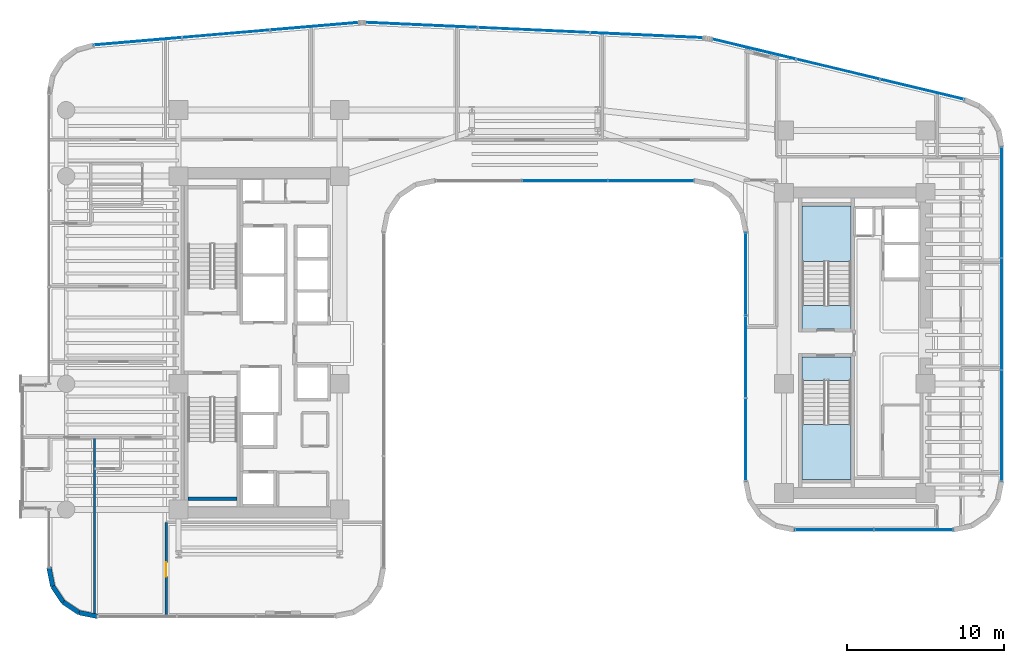
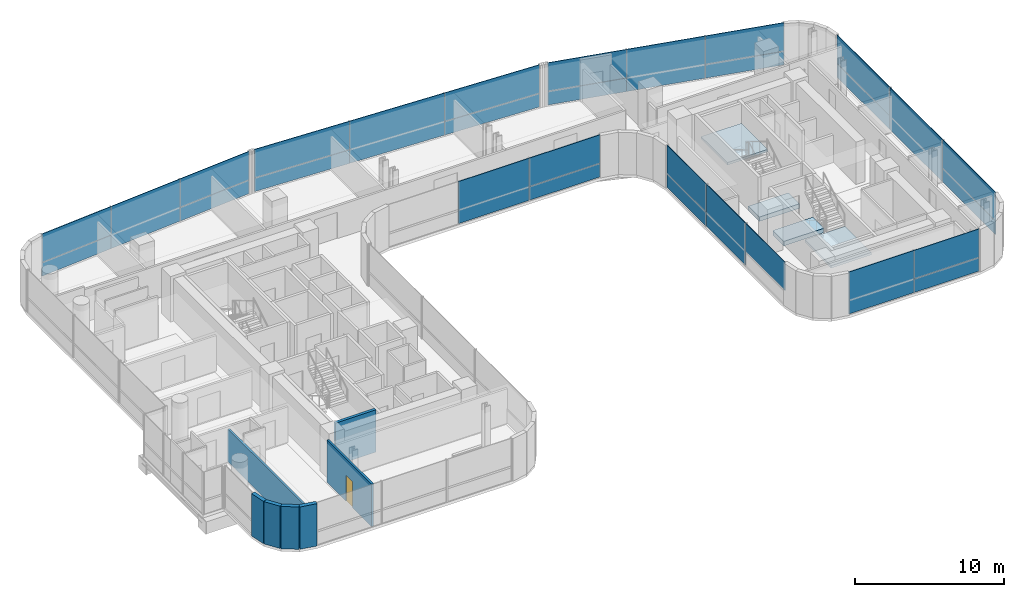
# One storey, part 27 of 37: 30 plates, 7 walls, 4 slabs, 1 door, 1 opening, 9 elements without a shape of their own.
"""IFC4 building model written with IfcOpenShell, lengths in metres."""

from ifc_helpers import new_model, si_unit, direction, frame, frame_2d, origin, origin_2d, place, context, subcontext, project, spatial, polyline, rectangle, outline, extrude, source, transform, mapped, material, layer, layer_set, type_object, element, fill, aggregate, save


model = new_model("IFC4")

# Units and contexts
model_context = context("Model", 3, precision=1e-05, world=origin(), true_north=direction((0.0, 1.0)))
body_context = subcontext(model_context, "Body", "Model", "MODEL_VIEW")
ifc_project = project(units=[si_unit("LENGTHUNIT", "METRE"), si_unit("AREAUNIT", "SQUARE_METRE"), si_unit("VOLUMEUNIT", "CUBIC_METRE"), si_unit("PLANEANGLEUNIT", "RADIAN"), si_unit("MASSUNIT", "GRAM", prefix="KILO")], contexts=[model_context])

# Site, building, storey
site_placement = place(None, origin())
site = spatial("IfcSite", under=ifc_project, at=site_placement, CompositionType="ELEMENT")
building_placement = place(site_placement, origin())
building = spatial("IfcBuilding", under=site, at=building_placement, Name="Valdorenza Pilgrim Sanctuary Tower", CompositionType="ELEMENT")
storey_placement = place(building_placement, frame((0.0, 0.0, 135.300048828125)))
storey = spatial("IfcBuildingStorey", under=building, at=storey_placement, Name="L34", CompositionType="ELEMENT", Elevation=135.300048828125)

# Stair, slab
ifc_material_1 = material(Name="Concrete C40/50", Category="concrete")
stair_type = type_object("IfcStairType", Name="STR-DOG-CORE", PredefinedType="HALF_TURN_STAIR", material=ifc_material_1)
stair_1_placement = place(storey_placement, origin())
stair_1 = element("IfcStair", 1, at=stair_1_placement, inside=storey, type_object=stair_type, Name="L34 ST-B1", PredefinedType="HALF_TURN_STAIR")
ifc_layer_1 = layer(ifc_material_1, 0.199951171875, Name="Concrete C40/50")
ifc_layer_set_1 = layer_set([ifc_layer_1], Name="Concrete C40/50")
slab_type_1 = type_object("IfcSlabType", Name="SLAB-STL-200", PredefinedType="LANDING", material=ifc_layer_set_1)
slab_1_placement = place(storey_placement, frame((0.0, 0.0, 1.64990234375)))
slab_1 = element("IfcSlab", 2, at=slab_1_placement, type_object=slab_type_1, Name="ST-B1 landing 1", PredefinedType="LANDING", context=body_context, shape_type="SweptSolid", body=[
    extrude(outline(polyline([(20.110107421875, 5.179931640625), (20.110107421875, 8.699951171875), (17.0, 8.699951171875), (17.0, 5.179931640625), (20.110107421875, 5.179931640625)])), origin(), (0.0, 0.0, 1.0), 0.199951171875),
])
aggregate(stair_1, [slab_1])

stair_2_placement = place(storey_placement, origin())
stair_2 = element("IfcStair", 3, at=stair_2_placement, inside=storey, type_object=stair_type, Name="L34 ST-B2", PredefinedType="HALF_TURN_STAIR")
slab_2_placement = place(storey_placement, frame((0.0, 0.0, 1.64990234375)))
slab_2 = element("IfcSlab", 4, at=slab_2_placement, type_object=slab_type_1, Name="ST-B2 landing 1", PredefinedType="LANDING", context=body_context, shape_type="SweptSolid", body=[
    extrude(outline(polyline([(17.0, -5.179931640625), (17.0, -8.699951171875), (20.110107421875, -8.699951171875), (20.110107421875, -5.179931640625), (17.0, -5.179931640625)])), origin(), (0.0, 0.0, 1.0), 0.199951171875),
])
aggregate(stair_2, [slab_2])

# Slabs
ifc_material_2 = material(Name="Concrete C50/60", Category="concrete")
ifc_layer_2 = layer(ifc_material_2, 0.39990234375, Name="Concrete C50/60")
ifc_layer_set_2 = layer_set([ifc_layer_2], Name="Concrete C50/60")
slab_type_2 = type_object("IfcSlabType", Name="SLAB-TRF-400", PredefinedType="FLOOR", material=ifc_layer_set_2)
slab_3_placement = place(storey_placement, frame((0.0, 0.0, -0.360107421875)))
element("IfcSlab", 5, at=slab_3_placement, inside=storey, type_object=slab_type_2, Name="L34 ST-B1 Structural Stair Landing Bearing Slab", PredefinedType="FLOOR", context=body_context, shape_type="SweptSolid", body=[
    extrude(outline(polyline([(17.0, 0.89990234375), (20.110107421875, 0.89990234375), (20.110107421875, 2.385009765625), (17.0, 2.385009765625), (17.0, 0.89990234375)])), origin(), (0.0, 0.0, 1.0), 0.360107421875),
])
slab_4_placement = place(storey_placement, frame((0.0, 0.0, -0.360107421875)))
element("IfcSlab", 6, at=slab_4_placement, inside=storey, type_object=slab_type_2, Name="L34 ST-B2 Structural Stair Landing Bearing Slab", PredefinedType="FLOOR", context=body_context, shape_type="SweptSolid", body=[
    extrude(outline(polyline([(17.0, -2.385009765625), (20.110107421875, -2.385009765625), (20.110107421875, -0.89990234375), (17.0, -0.89990234375), (17.0, -2.385009765625)])), origin(), (0.0, 0.0, 1.0), 0.360107421875),
])

# Curtain wall, plates
ifc_material_3 = material(Name="Curtain-wall IGU glazing", Category="glass")
curtain_wall_type_1 = type_object("IfcCurtainWallType", Name="CW-SYS-02", PredefinedType="NOTDEFINED", material=ifc_material_3)
curtain_wall_1_placement = place(storey_placement, origin())
curtain_wall_1 = element("IfcCurtainWall", 7, at=curtain_wall_1_placement, inside=storey, type_object=curtain_wall_type_1, Name="L34 Curtain Wall CW-L34-1-36", PredefinedType="NOTDEFINED")
ifc_material_4 = material(Name="Honed travertine limestone", Category="masonry")
ifc_layer_3 = layer(ifc_material_4, 0.050048828125, Name="Honed travertine limestone")
ifc_layer_set_3 = layer_set([ifc_layer_3], Name="Honed travertine limestone")
plate_type_1 = type_object("IfcPlateType", Name="CW-SPN-TRV", PredefinedType="USERDEFINED", material=ifc_layer_set_3)
shared_shape_1 = source(origin(), body_context, "Body", "SweptSolid", [
    extrude(rectangle(XDim=5.453857421875, YDim=0.06005859375, at=origin_2d()), origin(), (0.0, 0.0, 1.0), 1.10009765625),
])
plate_1_placement = place(storey_placement, frame((7.373779296875, 10.31005859375, 0.010009765625), z_axis=(0.0, 0.0, 1.0), x_axis=(-1.0, 0.0, 0.0)))
plate_1 = element("IfcPlate", 8, at=plate_1_placement, type_object=plate_type_1, Name="CW-L34-1-36 Travertine Spandrel 1", ObjectType="SPANDREL", PredefinedType="USERDEFINED", context=body_context, shape_type="MappedRepresentation", body=[
    mapped(shared_shape_1, transform((0.0, 0.0, 0.0), x_axis=(1.0, 0.0, 0.0), y_axis=(0.0, 1.0, 0.0), z_axis=(0.0, 0.0, 1.0), scale=1.0)),
])
ifc_material_5 = material(Name="Ceramic-fritted low-E IGU glazing", Category="glass")
ifc_layer_4 = layer(ifc_material_5, 0.035888671875, Name="Ceramic-fritted low-E IGU glazing")
ifc_layer_set_4 = layer_set([ifc_layer_4], Name="Ceramic-fritted low-E IGU glazing")
plate_type_2 = type_object("IfcPlateType", Name="CW-GLZ-IGU", PredefinedType="USERDEFINED", material=ifc_layer_set_4)
shared_shape_2 = source(origin(), body_context, "Body", "SweptSolid", [
    extrude(rectangle(XDim=5.453857421875, YDim=0.050048828125, at=origin_2d()), origin(), (0.0, 0.0, 1.0), 2.320068359375),
])
plate_2_placement = place(storey_placement, frame((7.373779296875, 10.31005859375, 1.1298828125), z_axis=(0.0, 0.0, 1.0), x_axis=(-1.0, 0.0, 0.0)))
plate_2 = element("IfcPlate", 9, at=plate_2_placement, type_object=plate_type_2, Name="CW-L34-1-36 Facade Panel 1", ObjectType="GLAZING", PredefinedType="USERDEFINED", context=body_context, shape_type="MappedRepresentation", body=[
    mapped(shared_shape_2, transform((0.0, 0.0, 0.0), x_axis=(1.0, 0.0, 0.0), y_axis=(0.0, 1.0, 0.0), z_axis=(0.0, 0.0, 1.0), scale=1.0)),
])
shared_shape_3 = source(origin(), body_context, "Body", "SweptSolid", [
    extrude(rectangle(XDim=5.453857421875, YDim=0.050048828125, at=origin_2d()), origin(), (0.0, 0.0, 1.0), 3.43994140625),
])
plate_3_placement = place(storey_placement, frame((1.89990234375, 10.31005859375, 0.010009765625), z_axis=(0.0, 0.0, 1.0), x_axis=(-1.0, 0.0, 0.0)))
plate_3 = element("IfcPlate", 10, at=plate_3_placement, type_object=plate_type_2, Name="CW-L34-1-36 Full-Height Facade Panel 2", ObjectType="GLAZING", PredefinedType="USERDEFINED", context=body_context, shape_type="MappedRepresentation", body=[
    mapped(shared_shape_3, transform((0.0, 0.0, 0.0), x_axis=(1.0, 0.0, 0.0), y_axis=(0.0, 1.0, 0.0), z_axis=(0.0, 0.0, 1.0), scale=1.0)),
])
aggregate(curtain_wall_1, [plate_1, plate_2, plate_3])

curtain_wall_2_placement = place(storey_placement, origin())
curtain_wall_2 = element("IfcCurtainWall", 11, at=curtain_wall_2_placement, inside=storey, type_object=curtain_wall_type_1, Name="L34 Curtain Wall CW-L34-1-6", PredefinedType="NOTDEFINED")
shared_shape_4 = source(origin(), body_context, "Body", "SweptSolid", [
    extrude(rectangle(XDim=5.61767578125, YDim=0.06005859375, at=origin_2d()), origin(), (0.0, 0.0, 1.0), 1.10009765625),
])
plate_4_placement = place(storey_placement, frame((-25.242919921875, 19.178955078125, 0.010009765625), z_axis=(0.0, 0.0, 1.0), x_axis=(0.99640764237, 0.084686541006, 0.0)))
plate_4 = element("IfcPlate", 12, at=plate_4_placement, type_object=plate_type_1, Name="CW-L34-1-6 Travertine Spandrel 1", ObjectType="SPANDREL", PredefinedType="USERDEFINED", context=body_context, shape_type="MappedRepresentation", body=[
    mapped(shared_shape_4, transform((0.0, 0.0, 0.0), x_axis=(1.0, 0.0, 0.0), y_axis=(0.0, 1.0, 0.0), z_axis=(0.0, 0.0, 1.0), scale=1.0)),
])
plate_5_placement = place(storey_placement, frame((-14.008056640625, 20.1337890625, 0.010009765625), z_axis=(0.0, 0.0, 1.0), x_axis=(0.99640764237, 0.084686541006, 0.0)))
plate_5 = element("IfcPlate", 13, at=plate_5_placement, type_object=plate_type_1, Name="CW-L34-1-6 Travertine Spandrel 3", ObjectType="SPANDREL", PredefinedType="USERDEFINED", context=body_context, shape_type="MappedRepresentation", body=[
    mapped(shared_shape_4, transform((0.0, 0.0, 0.0), x_axis=(1.0, 0.0, 0.0), y_axis=(0.0, 1.0, 0.0), z_axis=(0.0, 0.0, 1.0), scale=1.0)),
])

curtain_wall_3_placement = place(storey_placement, origin())
curtain_wall_3 = element("IfcCurtainWall", 14, at=curtain_wall_3_placement, inside=storey, type_object=curtain_wall_type_1, Name="L34 Curtain Wall CW-L34-1-11", PredefinedType="NOTDEFINED")
shared_shape_5 = source(origin(), body_context, "Body", "SweptSolid", [
    extrude(rectangle(XDim=7.1494140625, YDim=0.06005859375, at=origin_2d()), origin(), (0.0, 0.0, 1.0), 1.10009765625),
])
plate_6_placement = place(storey_placement, frame((-7.21484375, 20.2177734375, 0.010009765625), z_axis=(0.0, 0.0, 1.0), x_axis=(0.998968193221, -0.045415294044, 0.0)))
plate_6 = element("IfcPlate", 15, at=plate_6_placement, type_object=plate_type_1, Name="CW-L34-1-11 Travertine Spandrel 1", ObjectType="SPANDREL", PredefinedType="USERDEFINED", context=body_context, shape_type="MappedRepresentation", body=[
    mapped(shared_shape_5, transform((0.0, 0.0, 0.0), x_axis=(1.0, 0.0, 0.0), y_axis=(0.0, 1.0, 0.0), z_axis=(0.0, 0.0, 1.0), scale=1.0)),
])
plate_7_placement = place(storey_placement, frame((7.10888671875, 19.56689453125, 0.010009765625), z_axis=(0.0, 0.0, 1.0), x_axis=(0.998968193221, -0.045415294044, 0.0)))
plate_7 = element("IfcPlate", 16, at=plate_7_placement, type_object=plate_type_1, Name="CW-L34-1-11 Travertine Spandrel 3", ObjectType="SPANDREL", PredefinedType="USERDEFINED", context=body_context, shape_type="MappedRepresentation", body=[
    mapped(shared_shape_5, transform((0.0, 0.0, 0.0), x_axis=(1.0, 0.0, 0.0), y_axis=(0.0, 1.0, 0.0), z_axis=(0.0, 0.0, 1.0), scale=1.0)),
])

curtain_wall_type_2 = type_object("IfcCurtainWallType", Name="CW-SYS-03", PredefinedType="NOTDEFINED", material=ifc_material_3)
curtain_wall_4_placement = place(storey_placement, origin())
curtain_wall_4 = element("IfcCurtainWall", 17, at=curtain_wall_4_placement, inside=storey, type_object=curtain_wall_type_2, Name="L34 Curtain Wall CW-L34-1-16", PredefinedType="NOTDEFINED")
shared_shape_6 = source(origin(), body_context, "Body", "SweptSolid", [
    extrude(rectangle(XDim=5.477294921875, YDim=0.06005859375, at=origin_2d()), origin(), (0.0, 0.0, 1.0), 1.10009765625),
])
plate_8_placement = place(storey_placement, frame((13.944580078125, 18.68212890625, 0.010009765625), z_axis=(0.0, 0.0, 1.0), x_axis=(0.972528596343, -0.232783438617, 0.0)))
plate_8 = element("IfcPlate", 18, at=plate_8_placement, type_object=plate_type_1, Name="CW-L34-1-16 Travertine Spandrel 1", ObjectType="SPANDREL", PredefinedType="USERDEFINED", context=body_context, shape_type="MappedRepresentation", body=[
    mapped(shared_shape_6, transform((0.0, 0.0, 0.0), x_axis=(1.0, 0.0, 0.0), y_axis=(0.0, 1.0, 0.0), z_axis=(0.0, 0.0, 1.0), scale=1.0)),
])
plate_9_placement = place(storey_placement, frame((24.63720703125, 16.122802734375, 0.010009765625), z_axis=(0.0, 0.0, 1.0), x_axis=(0.972528596343, -0.232783438617, 0.0)))
plate_9 = element("IfcPlate", 19, at=plate_9_placement, type_object=plate_type_1, Name="CW-L34-1-16 Travertine Spandrel 3", ObjectType="SPANDREL", PredefinedType="USERDEFINED", context=body_context, shape_type="MappedRepresentation", body=[
    mapped(shared_shape_6, transform((0.0, 0.0, 0.0), x_axis=(1.0, 0.0, 0.0), y_axis=(0.0, 1.0, 0.0), z_axis=(0.0, 0.0, 1.0), scale=1.0)),
])

curtain_wall_5_placement = place(storey_placement, origin())
curtain_wall_5 = element("IfcCurtainWall", 20, at=curtain_wall_5_placement, inside=storey, type_object=curtain_wall_type_2, Name="L34 Curtain Wall CW-L34-1-21", PredefinedType="NOTDEFINED")
shared_shape_7 = source(origin(), body_context, "Body", "SweptSolid", [
    extrude(rectangle(XDim=7.065185546875, YDim=0.06005859375, at=origin_2d()), origin(), (0.0, 0.0, 1.0), 1.10009765625),
])
plate_10_placement = place(storey_placement, frame((29.68994140625, 8.923828125, 0.010009765625), z_axis=(0.0, 0.0, 1.0), x_axis=(0.0, -1.0, 0.0)))
plate_10 = element("IfcPlate", 21, at=plate_10_placement, type_object=plate_type_1, Name="CW-L34-1-21 Travertine Spandrel 1", ObjectType="SPANDREL", PredefinedType="USERDEFINED", context=body_context, shape_type="MappedRepresentation", body=[
    mapped(shared_shape_7, transform((0.0, 0.0, 0.0), x_axis=(1.0, 0.0, 0.0), y_axis=(0.0, 1.0, 0.0), z_axis=(0.0, 0.0, 1.0), scale=1.0)),
])
plate_11_placement = place(storey_placement, frame((29.68994140625, -5.24658203125, 0.010009765625), z_axis=(0.0, 0.0, 1.0), x_axis=(0.0, -1.0, 0.0)))
plate_11 = element("IfcPlate", 22, at=plate_11_placement, type_object=plate_type_1, Name="CW-L34-1-21 Travertine Spandrel 3", ObjectType="SPANDREL", PredefinedType="USERDEFINED", context=body_context, shape_type="MappedRepresentation", body=[
    mapped(shared_shape_7, transform((0.0, 0.0, 0.0), x_axis=(1.0, 0.0, 0.0), y_axis=(0.0, 1.0, 0.0), z_axis=(0.0, 0.0, 1.0), scale=1.0)),
])

# Curtain wall, plate
curtain_wall_6_placement = place(storey_placement, origin())
curtain_wall_6 = element("IfcCurtainWall", 23, at=curtain_wall_6_placement, inside=storey, type_object=curtain_wall_type_2, Name="L34 Curtain Wall CW-L34-1-26", PredefinedType="NOTDEFINED")
shared_shape_8 = source(origin(), body_context, "Body", "SweptSolid", [
    extrude(rectangle(XDim=5.019287109375, YDim=0.06005859375, at=origin_2d()), origin(), (0.0, 0.0, 1.0), 1.10009765625),
])
plate_12_placement = place(storey_placement, frame((24.069580078125, -11.889892578125, 0.010009765625), z_axis=(0.0, 0.0, 1.0), x_axis=(-1.0, 0.0, 0.0)))
plate_12 = element("IfcPlate", 24, at=plate_12_placement, type_object=plate_type_1, Name="CW-L34-1-26 Travertine Spandrel 1", ObjectType="SPANDREL", PredefinedType="USERDEFINED", context=body_context, shape_type="MappedRepresentation", body=[
    mapped(shared_shape_8, transform((0.0, 0.0, 0.0), x_axis=(1.0, 0.0, 0.0), y_axis=(0.0, 1.0, 0.0), z_axis=(0.0, 0.0, 1.0), scale=1.0)),
])

curtain_wall_7_placement = place(storey_placement, origin())
curtain_wall_7 = element("IfcCurtainWall", 25, at=curtain_wall_7_placement, inside=storey, type_object=curtain_wall_type_2, Name="L34 Curtain Wall CW-L34-1-31", PredefinedType="NOTDEFINED")
shared_shape_9 = source(origin(), body_context, "Body", "SweptSolid", [
    extrude(rectangle(XDim=5.24658203125, YDim=0.06005859375, at=origin_2d()), origin(), (0.0, 0.0, 1.0), 1.10009765625),
])
plate_13_placement = place(storey_placement, frame((13.409912109375, 4.37744140625, 0.010009765625), z_axis=(0.0, 0.0, 1.0), x_axis=(0.0, 1.0, 0.0)))
plate_13 = element("IfcPlate", 26, at=plate_13_placement, type_object=plate_type_1, Name="CW-L34-1-31 Travertine Spandrel 3", ObjectType="SPANDREL", PredefinedType="USERDEFINED", context=body_context, shape_type="MappedRepresentation", body=[
    mapped(shared_shape_9, transform((0.0, 0.0, 0.0), x_axis=(1.0, 0.0, 0.0), y_axis=(0.0, 1.0, 0.0), z_axis=(0.0, 0.0, 1.0), scale=1.0)),
])

# Plate
shared_shape_10 = source(origin(), body_context, "Body", "SweptSolid", [
    extrude(rectangle(XDim=5.61767578125, YDim=0.050048828125, at=origin_2d()), origin(), (0.0, 0.0, 1.0), 3.43994140625),
])
plate_14_placement = place(storey_placement, frame((-19.62548828125, 19.656494140625, 0.010009765625), z_axis=(0.0, 0.0, 1.0), x_axis=(0.99640764237, 0.084686541006, 0.0)))
plate_14 = element("IfcPlate", 27, at=plate_14_placement, type_object=plate_type_2, Name="CW-L34-1-6 Full-Height Facade Panel 2", ObjectType="GLAZING", PredefinedType="USERDEFINED", context=body_context, shape_type="MappedRepresentation", body=[
    mapped(shared_shape_10, transform((0.0, 0.0, 0.0), x_axis=(1.0, 0.0, 0.0), y_axis=(0.0, 1.0, 0.0), z_axis=(0.0, 0.0, 1.0), scale=1.0)),
])

shared_shape_11 = source(origin(), body_context, "Body", "SweptSolid", [
    extrude(rectangle(XDim=5.61767578125, YDim=0.050048828125, at=origin_2d()), origin(), (0.0, 0.0, 1.0), 2.320068359375),
])
plate_15_placement = place(storey_placement, frame((-25.242919921875, 19.178955078125, 1.1298828125), z_axis=(0.0, 0.0, 1.0), x_axis=(0.99640764237, 0.084686541006, 0.0)))
plate_15 = element("IfcPlate", 28, at=plate_15_placement, type_object=plate_type_2, Name="CW-L34-1-6 Facade Panel 1", ObjectType="GLAZING", PredefinedType="USERDEFINED", context=body_context, shape_type="MappedRepresentation", body=[
    mapped(shared_shape_11, transform((0.0, 0.0, 0.0), x_axis=(1.0, 0.0, 0.0), y_axis=(0.0, 1.0, 0.0), z_axis=(0.0, 0.0, 1.0), scale=1.0)),
])

plate_16_placement = place(storey_placement, frame((-14.008056640625, 20.1337890625, 1.1298828125), z_axis=(0.0, 0.0, 1.0), x_axis=(0.99640764237, 0.084686541006, 0.0)))
plate_16 = element("IfcPlate", 29, at=plate_16_placement, type_object=plate_type_2, Name="CW-L34-1-6 Facade Panel 3", ObjectType="GLAZING", PredefinedType="USERDEFINED", context=body_context, shape_type="MappedRepresentation", body=[
    mapped(shared_shape_11, transform((0.0, 0.0, 0.0), x_axis=(1.0, 0.0, 0.0), y_axis=(0.0, 1.0, 0.0), z_axis=(0.0, 0.0, 1.0), scale=1.0)),
])

aggregate(curtain_wall_2, [plate_4, plate_15, plate_14, plate_5, plate_16])

shared_shape_12 = source(origin(), body_context, "Body", "SweptSolid", [
    extrude(rectangle(XDim=7.1494140625, YDim=0.050048828125, at=origin_2d()), origin(), (0.0, 0.0, 1.0), 3.43994140625),
])
plate_17_placement = place(storey_placement, frame((-0.052978515625, 19.892333984375, 0.010009765625), z_axis=(0.0, 0.0, 1.0), x_axis=(0.998968193221, -0.045415294044, 0.0)))
plate_17 = element("IfcPlate", 30, at=plate_17_placement, type_object=plate_type_2, Name="CW-L34-1-11 Full-Height Facade Panel 2", ObjectType="GLAZING", PredefinedType="USERDEFINED", context=body_context, shape_type="MappedRepresentation", body=[
    mapped(shared_shape_12, transform((0.0, 0.0, 0.0), x_axis=(1.0, 0.0, 0.0), y_axis=(0.0, 1.0, 0.0), z_axis=(0.0, 0.0, 1.0), scale=1.0)),
])

shared_shape_13 = source(origin(), body_context, "Body", "SweptSolid", [
    extrude(rectangle(XDim=7.1494140625, YDim=0.050048828125, at=origin_2d()), origin(), (0.0, 0.0, 1.0), 2.320068359375),
])
plate_18_placement = place(storey_placement, frame((-7.21484375, 20.2177734375, 1.1298828125), z_axis=(0.0, 0.0, 1.0), x_axis=(0.998968193221, -0.045415294044, 0.0)))
plate_18 = element("IfcPlate", 31, at=plate_18_placement, type_object=plate_type_2, Name="CW-L34-1-11 Facade Panel 1", ObjectType="GLAZING", PredefinedType="USERDEFINED", context=body_context, shape_type="MappedRepresentation", body=[
    mapped(shared_shape_13, transform((0.0, 0.0, 0.0), x_axis=(1.0, 0.0, 0.0), y_axis=(0.0, 1.0, 0.0), z_axis=(0.0, 0.0, 1.0), scale=1.0)),
])

plate_19_placement = place(storey_placement, frame((7.10888671875, 19.56689453125, 1.1298828125), z_axis=(0.0, 0.0, 1.0), x_axis=(0.998968193221, -0.045415294044, 0.0)))
plate_19 = element("IfcPlate", 32, at=plate_19_placement, type_object=plate_type_2, Name="CW-L34-1-11 Facade Panel 3", ObjectType="GLAZING", PredefinedType="USERDEFINED", context=body_context, shape_type="MappedRepresentation", body=[
    mapped(shared_shape_13, transform((0.0, 0.0, 0.0), x_axis=(1.0, 0.0, 0.0), y_axis=(0.0, 1.0, 0.0), z_axis=(0.0, 0.0, 1.0), scale=1.0)),
])

aggregate(curtain_wall_3, [plate_6, plate_18, plate_17, plate_7, plate_19])

shared_shape_14 = source(origin(), body_context, "Body", "SweptSolid", [
    extrude(rectangle(XDim=5.477294921875, YDim=0.050048828125, at=origin_2d()), origin(), (0.0, 0.0, 1.0), 3.43994140625),
])
plate_20_placement = place(storey_placement, frame((19.291015625, 17.40234375, 0.010009765625), z_axis=(0.0, 0.0, 1.0), x_axis=(0.972528596343, -0.232783438617, 0.0)))
plate_20 = element("IfcPlate", 33, at=plate_20_placement, type_object=plate_type_2, Name="CW-L34-1-16 Full-Height Facade Panel 2", ObjectType="GLAZING", PredefinedType="USERDEFINED", context=body_context, shape_type="MappedRepresentation", body=[
    mapped(shared_shape_14, transform((0.0, 0.0, 0.0), x_axis=(1.0, 0.0, 0.0), y_axis=(0.0, 1.0, 0.0), z_axis=(0.0, 0.0, 1.0), scale=1.0)),
])

shared_shape_15 = source(origin(), body_context, "Body", "SweptSolid", [
    extrude(rectangle(XDim=5.477294921875, YDim=0.050048828125, at=origin_2d()), origin(), (0.0, 0.0, 1.0), 2.320068359375),
])
plate_21_placement = place(storey_placement, frame((13.944580078125, 18.68212890625, 1.1298828125), z_axis=(0.0, 0.0, 1.0), x_axis=(0.972528596343, -0.232783438617, 0.0)))
plate_21 = element("IfcPlate", 34, at=plate_21_placement, type_object=plate_type_2, Name="CW-L34-1-16 Facade Panel 1", ObjectType="GLAZING", PredefinedType="USERDEFINED", context=body_context, shape_type="MappedRepresentation", body=[
    mapped(shared_shape_15, transform((0.0, 0.0, 0.0), x_axis=(1.0, 0.0, 0.0), y_axis=(0.0, 1.0, 0.0), z_axis=(0.0, 0.0, 1.0), scale=1.0)),
])

plate_22_placement = place(storey_placement, frame((24.63720703125, 16.122802734375, 1.1298828125), z_axis=(0.0, 0.0, 1.0), x_axis=(0.972528596343, -0.232783438617, 0.0)))
plate_22 = element("IfcPlate", 35, at=plate_22_placement, type_object=plate_type_2, Name="CW-L34-1-16 Facade Panel 3", ObjectType="GLAZING", PredefinedType="USERDEFINED", context=body_context, shape_type="MappedRepresentation", body=[
    mapped(shared_shape_15, transform((0.0, 0.0, 0.0), x_axis=(1.0, 0.0, 0.0), y_axis=(0.0, 1.0, 0.0), z_axis=(0.0, 0.0, 1.0), scale=1.0)),
])

aggregate(curtain_wall_4, [plate_8, plate_21, plate_20, plate_9, plate_22])

shared_shape_16 = source(origin(), body_context, "Body", "SweptSolid", [
    extrude(rectangle(XDim=7.065185546875, YDim=0.050048828125, at=origin_2d()), origin(), (0.0, 0.0, 1.0), 2.320068359375),
])
plate_23_placement = place(storey_placement, frame((29.68994140625, 8.923828125, 1.1298828125), z_axis=(0.0, 0.0, 1.0), x_axis=(0.0, -1.0, 0.0)))
plate_23 = element("IfcPlate", 36, at=plate_23_placement, type_object=plate_type_2, Name="CW-L34-1-21 Facade Panel 1", ObjectType="GLAZING", PredefinedType="USERDEFINED", context=body_context, shape_type="MappedRepresentation", body=[
    mapped(shared_shape_16, transform((0.0, 0.0, 0.0), x_axis=(1.0, 0.0, 0.0), y_axis=(0.0, 1.0, 0.0), z_axis=(0.0, 0.0, 1.0), scale=1.0)),
])

plate_24_placement = place(storey_placement, frame((29.68994140625, -5.24658203125, 1.1298828125), z_axis=(0.0, 0.0, 1.0), x_axis=(0.0, -1.0, 0.0)))
plate_24 = element("IfcPlate", 37, at=plate_24_placement, type_object=plate_type_2, Name="CW-L34-1-21 Facade Panel 3", ObjectType="GLAZING", PredefinedType="USERDEFINED", context=body_context, shape_type="MappedRepresentation", body=[
    mapped(shared_shape_16, transform((0.0, 0.0, 0.0), x_axis=(1.0, 0.0, 0.0), y_axis=(0.0, 1.0, 0.0), z_axis=(0.0, 0.0, 1.0), scale=1.0)),
])

shared_shape_17 = source(origin(), body_context, "Body", "SweptSolid", [
    extrude(rectangle(XDim=7.065185546875, YDim=0.050048828125, at=origin_2d()), origin(), (0.0, 0.0, 1.0), 3.43994140625),
])
plate_25_placement = place(storey_placement, frame((29.68994140625, 1.838623046875, 0.010009765625), z_axis=(0.0, 0.0, 1.0), x_axis=(0.0, -1.0, 0.0)))
plate_25 = element("IfcPlate", 38, at=plate_25_placement, type_object=plate_type_2, Name="CW-L34-1-21 Full-Height Facade Panel 2", ObjectType="GLAZING", PredefinedType="USERDEFINED", context=body_context, shape_type="MappedRepresentation", body=[
    mapped(shared_shape_17, transform((0.0, 0.0, 0.0), x_axis=(1.0, 0.0, 0.0), y_axis=(0.0, 1.0, 0.0), z_axis=(0.0, 0.0, 1.0), scale=1.0)),
])

aggregate(curtain_wall_5, [plate_10, plate_23, plate_25, plate_11, plate_24])

shared_shape_18 = source(origin(), body_context, "Body", "SweptSolid", [
    extrude(rectangle(XDim=5.019287109375, YDim=0.050048828125, at=origin_2d()), origin(), (0.0, 0.0, 1.0), 2.320068359375),
])
plate_26_placement = place(storey_placement, frame((24.069580078125, -11.889892578125, 1.1298828125), z_axis=(0.0, 0.0, 1.0), x_axis=(-1.0, 0.0, 0.0)))
plate_26 = element("IfcPlate", 39, at=plate_26_placement, type_object=plate_type_2, Name="CW-L34-1-26 Facade Panel 1", ObjectType="GLAZING", PredefinedType="USERDEFINED", context=body_context, shape_type="MappedRepresentation", body=[
    mapped(shared_shape_18, transform((0.0, 0.0, 0.0), x_axis=(1.0, 0.0, 0.0), y_axis=(0.0, 1.0, 0.0), z_axis=(0.0, 0.0, 1.0), scale=1.0)),
])

shared_shape_19 = source(origin(), body_context, "Body", "SweptSolid", [
    extrude(rectangle(XDim=5.019287109375, YDim=0.050048828125, at=origin_2d()), origin(), (0.0, 0.0, 1.0), 3.43994140625),
])
plate_27_placement = place(storey_placement, frame((19.030517578125, -11.889892578125, 0.010009765625), z_axis=(0.0, 0.0, 1.0), x_axis=(-1.0, 0.0, 0.0)))
plate_27 = element("IfcPlate", 40, at=plate_27_placement, type_object=plate_type_2, Name="CW-L34-1-26 Full-Height Facade Panel 2", ObjectType="GLAZING", PredefinedType="USERDEFINED", context=body_context, shape_type="MappedRepresentation", body=[
    mapped(shared_shape_19, transform((0.0, 0.0, 0.0), x_axis=(1.0, 0.0, 0.0), y_axis=(0.0, 1.0, 0.0), z_axis=(0.0, 0.0, 1.0), scale=1.0)),
])

aggregate(curtain_wall_6, [plate_12, plate_26, plate_27])

shared_shape_20 = source(origin(), body_context, "Body", "SweptSolid", [
    extrude(rectangle(XDim=5.24658203125, YDim=0.050048828125, at=origin_2d()), origin(), (0.0, 0.0, 1.0), 2.320068359375),
])
plate_28_placement = place(storey_placement, frame((13.409912109375, -6.156005859375, 1.1298828125), z_axis=(0.0, 0.0, 1.0), x_axis=(0.0, 1.0, 0.0)))
plate_28 = element("IfcPlate", 41, at=plate_28_placement, type_object=plate_type_2, Name="CW-L34-1-31 Facade Panel 1", ObjectType="GLAZING", PredefinedType="USERDEFINED", context=body_context, shape_type="MappedRepresentation", body=[
    mapped(shared_shape_20, transform((0.0, 0.0, 0.0), x_axis=(1.0, 0.0, 0.0), y_axis=(0.0, 1.0, 0.0), z_axis=(0.0, 0.0, 1.0), scale=1.0)),
])

plate_29_placement = place(storey_placement, frame((13.409912109375, 4.37744140625, 1.1298828125), z_axis=(0.0, 0.0, 1.0), x_axis=(0.0, 1.0, 0.0)))
plate_29 = element("IfcPlate", 42, at=plate_29_placement, type_object=plate_type_2, Name="CW-L34-1-31 Facade Panel 3", ObjectType="GLAZING", PredefinedType="USERDEFINED", context=body_context, shape_type="MappedRepresentation", body=[
    mapped(shared_shape_20, transform((0.0, 0.0, 0.0), x_axis=(1.0, 0.0, 0.0), y_axis=(0.0, 1.0, 0.0), z_axis=(0.0, 0.0, 1.0), scale=1.0)),
])

shared_shape_21 = source(origin(), body_context, "Body", "SweptSolid", [
    extrude(rectangle(XDim=5.24658203125, YDim=0.050048828125, at=origin_2d()), origin(), (0.0, 0.0, 1.0), 3.43994140625),
])
plate_30_placement = place(storey_placement, frame((13.409912109375, -0.88916015625, 0.010009765625), z_axis=(0.0, 0.0, 1.0), x_axis=(0.0, 1.0, 0.0)))
plate_30 = element("IfcPlate", 43, at=plate_30_placement, type_object=plate_type_2, Name="CW-L34-1-31 Full-Height Facade Panel 2", ObjectType="GLAZING", PredefinedType="USERDEFINED", context=body_context, shape_type="MappedRepresentation", body=[
    mapped(shared_shape_21, transform((0.0, 0.0, 0.0), x_axis=(1.0, 0.0, 0.0), y_axis=(0.0, 1.0, 0.0), z_axis=(0.0, 0.0, 1.0), scale=1.0)),
])

aggregate(curtain_wall_7, [plate_28, plate_30, plate_13, plate_29])

# Wall, opening, door
ifc_material_6 = material(Name="Acoustic twin-stud gypsum partition", Category="gypsum")
ifc_layer_5 = layer(ifc_material_6, 0.159912109375, Name="Acoustic twin-stud gypsum partition")
ifc_layer_set_5 = layer_set([ifc_layer_5], Name="Acoustic twin-stud gypsum partition")
wall_type_1 = type_object("IfcWallType", Name="WAL-COR-160", PredefinedType="PARTITIONING", material=ifc_layer_set_5)
wall_1_placement = place(storey_placement, frame((-23.449951171875, -17.389892578125, 0.0), z_axis=(0.0, 0.0, 1.0), x_axis=(0.0, 1.0, 0.0)))
wall_1 = element("IfcWall", 44, at=wall_1_placement, inside=storey, type_object=wall_type_1, Name="L34 South-East Pocket West Wall", PredefinedType="PARTITIONING", context=body_context, shape_type="SweptSolid", body=[
    extrude(rectangle(XDim=5.969970703125, YDim=0.159912109375, at=frame_2d((2.98486328125, 0.0))), origin(), (0.0, 0.0, 1.0), 3.4599609375),
])
opening_placement = place(wall_1_placement, frame((2.534912109375, 0.0, 0.0)))
opening = element("IfcOpeningElement", 45, at=opening_placement, cuts=wall_1, Name="Opening DR-RM1", PredefinedType="OPENING", context=body_context, shape_type="SweptSolid", body=[
    extrude(rectangle(XDim=0.89990234375, YDim=2.10009765625, at=frame_2d((0.449951171875, 1.050048828125))), frame((0.0, 0.0947265625, 0.0), z_axis=(0.0, -1.0, 0.0), x_axis=(1.0, 0.0, 0.0)), (0.0, 0.0, 1.0), 0.189697265625),
])
ifc_material_7 = material(Name="Solid-core European oak timber", Category="wood")
door_type = type_object("IfcDoorType", Name="DR-ROOM-900", OperationType="NOTDEFINED", PredefinedType="DOOR", material=ifc_material_7)
door_placement = place(opening_placement, origin())
door = element("IfcDoor", 46, at=door_placement, inside=storey, type_object=door_type, Name="L34 Sacred Archive Reading Library L34-S Door", OperationType="SINGLE_SWING_RIGHT", OverallHeight=2.10009765625, OverallWidth=0.89990234375, PredefinedType="DOOR", context=body_context, shape_type="SweptSolid", body=[
    extrude(rectangle(XDim=0.89990234375, YDim=2.10009765625, at=frame_2d((0.449951171875, 1.050048828125))), frame((0.0, 0.02490234375, 0.0), z_axis=(0.0, -1.0, 0.0), x_axis=(1.0, 0.0, 0.0)), (0.0, 0.0, 1.0), 0.050048828125),
])
fill(opening, door)

# Walls
ifc_layer_6 = layer(ifc_material_4, 0.300048828125, Name="Honed travertine limestone")
ifc_layer_set_6 = layer_set([ifc_layer_6], Name="Honed travertine limestone")
wall_type_2 = type_object("IfcWallType", Name="WAL-EXT-300", PredefinedType="SOLIDWALL", material=ifc_layer_set_6)
wall_2_placement = place(storey_placement, frame((-27.789306640625, -17.389892578125, 0.0), z_axis=(0.0, 0.0, 1.0), x_axis=(-0.980804027463, 0.194996050505, 0.0)))
element("IfcWall", 47, at=wall_2_placement, inside=storey, type_object=wall_type_2, Name="L34 Rounded Wind-Corner Stone Pier 47", PredefinedType="SOLIDWALL", context=body_context, shape_type="SweptSolid", body=[
    extrude(rectangle(XDim=1.2158203125, YDim=0.300048828125, at=frame_2d((0.60791015625, 0.0))), origin(), (0.0, 0.0, 1.0), 3.4599609375),
])
for number, where, z_axis, x_axis, name in (
    (48, (-28.981689453125, -17.15283203125, 0.0), (0.0, 0.0, 1.0), (-0.831426265255, 0.555635100982, 0.0), "L34 Rounded Wind-Corner Stone Pier 48"),
    (49, (-29.9833984375, -16.4833984375, 0.0), (0.0, 0.0, 1.0), (-0.555635100982, 0.831426265255, 0.0), "L34 Rounded Wind-Corner Stone Pier 49"),
):
    element("IfcWall", number, at=place(storey_placement, frame(where, z_axis=z_axis, x_axis=x_axis)), inside=storey, type_object=wall_type_2, Name=name, PredefinedType="SOLIDWALL", context=body_context, shape_type="SweptSolid", body=[
        extrude(rectangle(XDim=1.204833984375, YDim=0.300048828125, at=frame_2d((0.6025390625, 0.0))), origin(), (0.0, 0.0, 1.0), 3.4599609375),
    ])
wall_3_placement = place(storey_placement, frame((-30.65283203125, -15.481689453125, 0.0), z_axis=(0.0, 0.0, 1.0), x_axis=(-0.194996050505, 0.980804027463, 0.0)))
element("IfcWall", 50, at=wall_3_placement, inside=storey, type_object=wall_type_2, Name="L34 Rounded Wind-Corner Stone Pier 50", PredefinedType="SOLIDWALL", context=body_context, shape_type="SweptSolid", body=[
    extrude(rectangle(XDim=1.2158203125, YDim=0.300048828125, at=frame_2d((0.60791015625, 0.0))), origin(), (0.0, 0.0, 1.0), 3.4599609375),
])
ifc_layer_7 = layer(ifc_material_1, 0.219970703125, Name="Concrete C40/50")
ifc_layer_set_7 = layer_set([ifc_layer_7], Name="Concrete C40/50")
wall_type_3 = type_object("IfcWallType", Name="WAL-STR-SHF-220", PredefinedType="SHEAR", material=ifc_layer_set_7)
wall_4_placement = place(storey_placement, frame((-22.050048828125, -9.909912109375, 0.0), z_axis=(0.0, 0.0, 1.0), x_axis=(1.0, 0.0, 0.0)))
element("IfcWall", 51, at=wall_4_placement, inside=storey, type_object=wall_type_3, Name="L34 ST-A2 Structural Stairwell Wall S", PredefinedType="SHEAR", context=body_context, shape_type="SweptSolid", body=[
    extrude(rectangle(XDim=3.110107421875, YDim=0.219970703125, at=frame_2d((1.55517578125, 0.0))), origin(), (0.0, 0.0, 1.0), 3.4599609375),
])
ifc_layer_8 = layer(ifc_material_6, 0.14990234375, Name="Acoustic twin-stud gypsum partition")
ifc_layer_set_8 = layer_set([ifc_layer_8], Name="Acoustic twin-stud gypsum partition")
wall_type_4 = type_object("IfcWallType", Name="WAL-UNT-150", PredefinedType="PARTITIONING", material=ifc_layer_set_8)
wall_5_placement = place(storey_placement, frame((-27.9951171875, -17.2216796875, 0.0), z_axis=(0.0, 0.0, 1.0), x_axis=(0.0, 1.0, 0.0)))
element("IfcWall", 52, at=wall_5_placement, inside=storey, type_object=wall_type_4, Name="L34 Pilgrim Guest Room L34-CS1 Split Wall", PredefinedType="PARTITIONING", context=body_context, shape_type="SweptSolid", body=[
    extrude(rectangle(XDim=11.2216796875, YDim=0.14990234375, at=frame_2d((5.61083984375, 0.0))), origin(), (0.0, 0.0, 1.0), 2.666015625),
])

save(model, "model.ifc")
